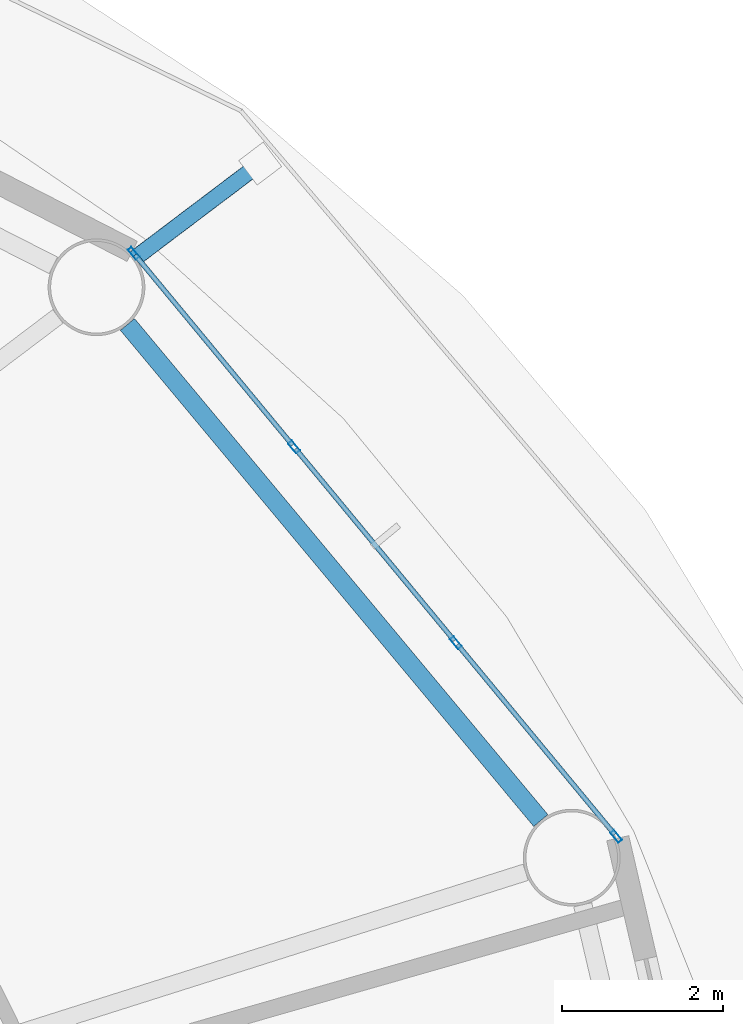
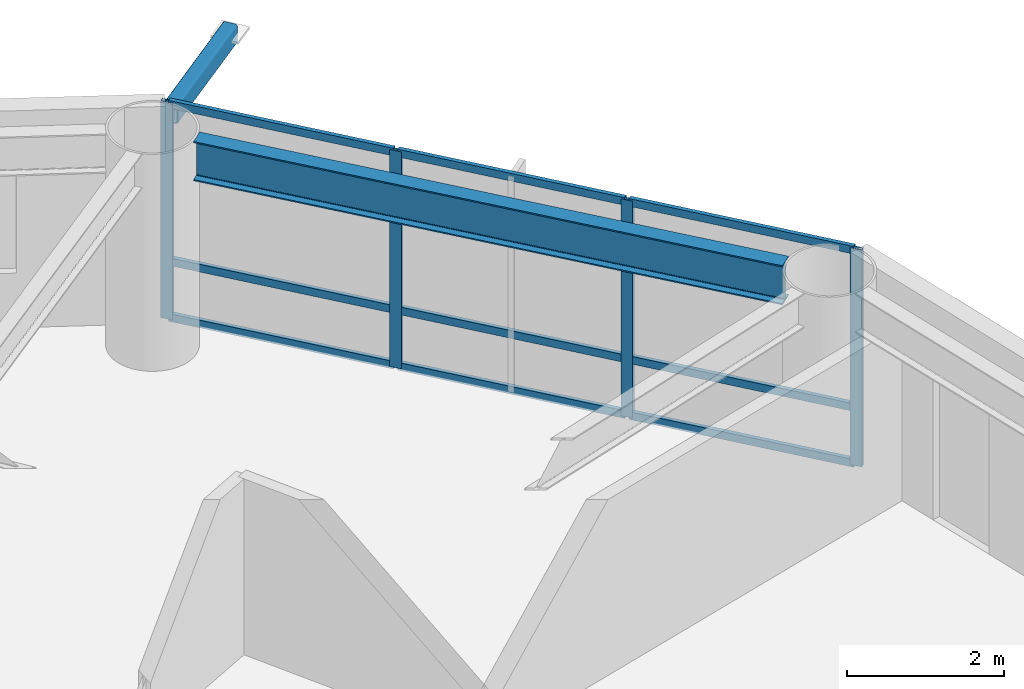
# One storey, part 12 of 24: 14 members, 1 beam, 1 element without a shape of its own.
"""IFC4 building model written with IfcOpenShell, lengths in metres."""

from ifc_helpers import new_model, si_unit, direction, frame, origin, origin_2d, place, context, subcontext, project, spatial, hollow_rectangle, i_section, extrude, material, layer, layer_set, material_profile, profile_set, type_object, element, aggregate, save


model = new_model("IFC4")

# Units and contexts
model_context = context("Model", 3, precision=1e-05, world=origin(), true_north=direction((0.0, 1.0)))
body_context = subcontext(model_context, "Body", "Model", "MODEL_VIEW")
ifc_project = project(units=[si_unit("LENGTHUNIT", "METRE"), si_unit("AREAUNIT", "SQUARE_METRE"), si_unit("VOLUMEUNIT", "CUBIC_METRE"), si_unit("PLANEANGLEUNIT", "RADIAN"), si_unit("MASSUNIT", "GRAM", prefix="KILO")], contexts=[model_context])

# Site, building, storey
site_placement = place(None, origin())
site = spatial("IfcSite", under=ifc_project, at=site_placement, CompositionType="ELEMENT")
building_placement = place(site_placement, origin())
building = spatial("IfcBuilding", under=site, at=building_placement, Name="Sarneth Arch Tower", CompositionType="ELEMENT")
storey_placement = place(building_placement, frame((0.0, 0.0, 94.800048828125)))
storey = spatial("IfcBuildingStorey", under=building, at=storey_placement, Name="L23", CompositionType="ELEMENT", Elevation=94.800048828125)

# Beam
ifc_material_1 = material(Name="Steel S355", Category="steel")
ifc_material_profile_1 = material_profile(ifc_material_1, i_section(OverallWidth=0.22900390625, OverallDepth=0.612060546875, WebThickness=0.011962890625, FlangeThickness=0.01953125, FilletRadius=0.01904296875, at=origin_2d()), Name="W610x125")
ifc_profile_set_1 = profile_set([ifc_material_profile_1], Name="Steel S355")
beam_type = type_object("IfcBeamType", Name="BM-SPAN-610C", PredefinedType="SPANDREL", material=ifc_profile_set_1)
beam_placement = place(storey_placement, frame((73.906982421875, 50.803466796875, 3.073974609375), z_axis=(-0.640163403463, 0.768238775946, 0.0), x_axis=(-0.768238775946, -0.640163403463, 0.0)))
element("IfcBeam", 1, at=beam_placement, inside=storey, type_object=beam_type, Name="L23 Perimeter spandrel beam 02", PredefinedType="SPANDREL", context=body_context, shape_type="SweptSolid", body=[
    extrude(i_section(OverallWidth=0.22900390625, OverallDepth=0.612060546875, WebThickness=0.011962890625, FlangeThickness=0.01953125, FilletRadius=0.01904296875, at=origin_2d()), origin(), (0.0, 0.0, 1.0), 8.006103515625),
])

# Curtain wall, members
ifc_material_2 = material(Name="Anodised aluminium Type AA25 and solar-control low-e laminated IGU", Category="aluminium")
ifc_layer = layer(ifc_material_2, 0.159912109375)
ifc_layer_set = layer_set([ifc_layer], Name="Anodised aluminium Type AA25 and solar-control low-e laminated IGU")
curtain_wall_type = type_object("IfcCurtainWallType", Name="CW-HOTEL-MID", PredefinedType="NOTDEFINED", material=ifc_layer_set)
curtain_wall_placement = place(storey_placement, origin())
curtain_wall = element("IfcCurtainWall", 2, at=curtain_wall_placement, inside=storey, type_object=curtain_wall_type, Name="L23 Unitised curtain wall facet 02", PredefinedType="NOTDEFINED")
ifc_material_3 = material(Name="Anodised Aluminium 6063-T6", Category="aluminium")
ifc_material_profile_2 = material_profile(ifc_material_3, hollow_rectangle(XDim=0.06005859375, YDim=0.159912109375, WallThickness=0.00390625, at=origin_2d()), Name="AL-MULL-160x60x4")
ifc_profile_set_2 = profile_set([ifc_material_profile_2], Name="Anodised Aluminium 6063-T6")
member_type_1 = type_object("IfcMemberType", Name="CW-MULLION", PredefinedType="MULLION", material=ifc_profile_set_2)
member_1_placement = place(storey_placement, frame((74.84228515625, 50.606689453125, 0.0), z_axis=(0.0, 0.0, 1.0), x_axis=(-0.770437787363, -0.637515188684, 0.0)))
member_1 = element("IfcMember", 3, at=member_1_placement, type_object=member_type_1, Name="CW-SYS-4 mullion 1", PredefinedType="MULLION", context=body_context, shape_type="SweptSolid", body=[
    extrude(hollow_rectangle(XDim=0.06005859375, YDim=0.159912109375, WallThickness=0.00390625, at=origin_2d()), origin(), (0.0, 0.0, 1.0), 3.3798828125),
])
member_2_placement = place(storey_placement, frame((72.854248046875, 53.00927734375, 0.0), z_axis=(0.0, 0.0, 1.0), x_axis=(-0.770437787363, -0.637515188684, 0.0)))
member_2 = element("IfcMember", 4, at=member_2_placement, type_object=member_type_1, Name="CW-SYS-4 mullion 2", PredefinedType="MULLION", context=body_context, shape_type="SweptSolid", body=[
    extrude(hollow_rectangle(XDim=0.06005859375, YDim=0.159912109375, WallThickness=0.00390625, at=origin_2d()), origin(), (0.0, 0.0, 1.0), 3.3798828125),
])
member_3_placement = place(storey_placement, frame((70.84716796875, 55.434814453125, 0.0), z_axis=(0.0, 0.0, 1.0), x_axis=(-0.770437787363, -0.637515188684, 0.0)))
member_3 = element("IfcMember", 5, at=member_3_placement, type_object=member_type_1, Name="CW-SYS-4 mullion 3", PredefinedType="MULLION", context=body_context, shape_type="SweptSolid", body=[
    extrude(hollow_rectangle(XDim=0.06005859375, YDim=0.159912109375, WallThickness=0.00390625, at=origin_2d()), origin(), (0.0, 0.0, 1.0), 3.3798828125),
])
member_4_placement = place(storey_placement, frame((68.859130859375, 57.83740234375, 0.0), z_axis=(0.0, 0.0, 1.0), x_axis=(-0.770437787363, -0.637515188684, 0.0)))
member_4 = element("IfcMember", 6, at=member_4_placement, type_object=member_type_1, Name="CW-SYS-4 mullion 4", PredefinedType="MULLION", context=body_context, shape_type="SweptSolid", body=[
    extrude(hollow_rectangle(XDim=0.06005859375, YDim=0.159912109375, WallThickness=0.00390625, at=origin_2d()), origin(), (0.0, 0.0, 1.0), 3.3798828125),
])
ifc_material_4 = material(Name="Anodised Aluminium 6063-T6", Category="aluminium")
ifc_material_profile_3 = material_profile(ifc_material_4, hollow_rectangle(XDim=0.06005859375, YDim=0.1201171875, WallThickness=0.00390625, at=origin_2d()), Name="AL-TRAN-120x60x4")
ifc_profile_set_3 = profile_set([ifc_material_profile_3], Name="Anodised Aluminium 6063-T6")
member_type_2 = type_object("IfcMemberType", Name="CW-TRANSOM", PredefinedType="USERDEFINED", material=ifc_profile_set_3)
member_5_placement = place(storey_placement, frame((74.8232421875, 50.6298828125, 0.030029296875), z_axis=(-0.637566080343, 0.770395673142, 0.0), x_axis=(-0.770395673142, -0.637566080343, 0.0)))
member_5 = element("IfcMember", 7, at=member_5_placement, type_object=member_type_2, Name="CW-SYS-4 transom 1.1", ObjectType="TRANSOM", PredefinedType="USERDEFINED", context=body_context, shape_type="SweptSolid", body=[
    extrude(hollow_rectangle(XDim=0.06005859375, YDim=0.1201171875, WallThickness=0.00390625, at=origin_2d()), origin(), (0.0, 0.0, 1.0), 3.058349609375),
])
member_6_placement = place(storey_placement, frame((74.8232421875, 50.6298828125, 0.89990234375), z_axis=(-0.637566080343, 0.770395673142, 0.0), x_axis=(-0.770395673142, -0.637566080343, 0.0)))
member_6 = element("IfcMember", 8, at=member_6_placement, type_object=member_type_2, Name="CW-SYS-4 transom 1.2", ObjectType="TRANSOM", PredefinedType="USERDEFINED", context=body_context, shape_type="SweptSolid", body=[
    extrude(hollow_rectangle(XDim=0.06005859375, YDim=0.1201171875, WallThickness=0.00390625, at=origin_2d()), origin(), (0.0, 0.0, 1.0), 3.058349609375),
])
member_7_placement = place(storey_placement, frame((74.8232421875, 50.6298828125, 3.349853515625), z_axis=(-0.637566080343, 0.770395673142, 0.0), x_axis=(-0.770395673142, -0.637566080343, 0.0)))
member_7 = element("IfcMember", 9, at=member_7_placement, type_object=member_type_2, Name="CW-SYS-4 transom 1.3", ObjectType="TRANSOM", PredefinedType="USERDEFINED", context=body_context, shape_type="SweptSolid", body=[
    extrude(hollow_rectangle(XDim=0.06005859375, YDim=0.1201171875, WallThickness=0.00390625, at=origin_2d()), origin(), (0.0, 0.0, 1.0), 3.058349609375),
])
member_8_placement = place(storey_placement, frame((72.835205078125, 53.0322265625, 0.030029296875), z_axis=(-0.637536975021, 0.770419759275, 0.0), x_axis=(-0.770419759275, -0.637536975021, 0.0)))
member_8 = element("IfcMember", 10, at=member_8_placement, type_object=member_type_2, Name="CW-SYS-4 transom 2.1", ObjectType="TRANSOM", PredefinedType="USERDEFINED", context=body_context, shape_type="SweptSolid", body=[
    extrude(hollow_rectangle(XDim=0.06005859375, YDim=0.1201171875, WallThickness=0.00390625, at=origin_2d()), origin(), (0.0, 0.0, 1.0), 3.08837890625),
])
member_9_placement = place(storey_placement, frame((72.835205078125, 53.0322265625, 0.89990234375), z_axis=(-0.637536975021, 0.770419759275, 0.0), x_axis=(-0.770419759275, -0.637536975021, 0.0)))
member_9 = element("IfcMember", 11, at=member_9_placement, type_object=member_type_2, Name="CW-SYS-4 transom 2.2", ObjectType="TRANSOM", PredefinedType="USERDEFINED", context=body_context, shape_type="SweptSolid", body=[
    extrude(hollow_rectangle(XDim=0.06005859375, YDim=0.1201171875, WallThickness=0.00390625, at=origin_2d()), origin(), (0.0, 0.0, 1.0), 3.08837890625),
])
member_10_placement = place(storey_placement, frame((72.835205078125, 53.0322265625, 3.349853515625), z_axis=(-0.637536975021, 0.770419759275, 0.0), x_axis=(-0.770419759275, -0.637536975021, 0.0)))
member_10 = element("IfcMember", 12, at=member_10_placement, type_object=member_type_2, Name="CW-SYS-4 transom 2.3", ObjectType="TRANSOM", PredefinedType="USERDEFINED", context=body_context, shape_type="SweptSolid", body=[
    extrude(hollow_rectangle(XDim=0.06005859375, YDim=0.1201171875, WallThickness=0.00390625, at=origin_2d()), origin(), (0.0, 0.0, 1.0), 3.08837890625),
])
member_11_placement = place(storey_placement, frame((70.828125, 55.4580078125, 0.030029296875), z_axis=(-0.637566080343, 0.770395673142, 0.0), x_axis=(-0.770395673142, -0.637566080343, 0.0)))
member_11 = element("IfcMember", 13, at=member_11_placement, type_object=member_type_2, Name="CW-SYS-4 transom 3.1", ObjectType="TRANSOM", PredefinedType="USERDEFINED", context=body_context, shape_type="SweptSolid", body=[
    extrude(hollow_rectangle(XDim=0.06005859375, YDim=0.1201171875, WallThickness=0.00390625, at=origin_2d()), origin(), (0.0, 0.0, 1.0), 3.058349609375),
])
member_12_placement = place(storey_placement, frame((70.828125, 55.4580078125, 0.89990234375), z_axis=(-0.637566080343, 0.770395673142, 0.0), x_axis=(-0.770395673142, -0.637566080343, 0.0)))
member_12 = element("IfcMember", 14, at=member_12_placement, type_object=member_type_2, Name="CW-SYS-4 transom 3.2", ObjectType="TRANSOM", PredefinedType="USERDEFINED", context=body_context, shape_type="SweptSolid", body=[
    extrude(hollow_rectangle(XDim=0.06005859375, YDim=0.1201171875, WallThickness=0.00390625, at=origin_2d()), origin(), (0.0, 0.0, 1.0), 3.058349609375),
])
member_13_placement = place(storey_placement, frame((70.828125, 55.4580078125, 3.349853515625), z_axis=(-0.637566080343, 0.770395673142, 0.0), x_axis=(-0.770395673142, -0.637566080343, 0.0)))
member_13 = element("IfcMember", 15, at=member_13_placement, type_object=member_type_2, Name="CW-SYS-4 transom 3.3", ObjectType="TRANSOM", PredefinedType="USERDEFINED", context=body_context, shape_type="SweptSolid", body=[
    extrude(hollow_rectangle(XDim=0.06005859375, YDim=0.1201171875, WallThickness=0.00390625, at=origin_2d()), origin(), (0.0, 0.0, 1.0), 3.058349609375),
])
aggregate(curtain_wall, [member_1, member_2, member_3, member_4, member_5, member_6, member_7, member_8, member_9, member_10, member_11, member_12, member_13])

# Member
ifc_material_5 = material(Name="Steel S355", Category="steel")
ifc_material_profile_4 = material_profile(ifc_material_5, hollow_rectangle(XDim=0.199951171875, YDim=0.300048828125, WallThickness=0.012451171875, InnerFilletRadius=0.018798828125, OuterFilletRadius=0.03125, at=origin_2d()), Name="RHS300x200x12.5")
ifc_profile_set_4 = profile_set([ifc_material_profile_4], Name="Steel S355")
member_type_3 = type_object("IfcMemberType", Name="MEM-CANT-STRUT", PredefinedType="STRUT", material=ifc_profile_set_4)
member_14_placement = place(storey_placement, frame((68.876220703125, 57.776611328125, 3.219970703125), z_axis=(0.797794849031, 0.60292899985, 0.0), x_axis=(-0.60292899985, 0.797794849031, 0.0)))
element("IfcMember", 16, at=member_14_placement, inside=storey, type_object=member_type_3, Name="L23 Balcony cantilever bracket 03", PredefinedType="STRUT", context=body_context, shape_type="SweptSolid", body=[
    extrude(hollow_rectangle(XDim=0.199951171875, YDim=0.300048828125, WallThickness=0.012451171875, InnerFilletRadius=0.018798828125, OuterFilletRadius=0.03125, at=origin_2d()), origin(), (0.0, 0.0, 1.0), 1.9443359375),
])

save(model, "model.ifc")
